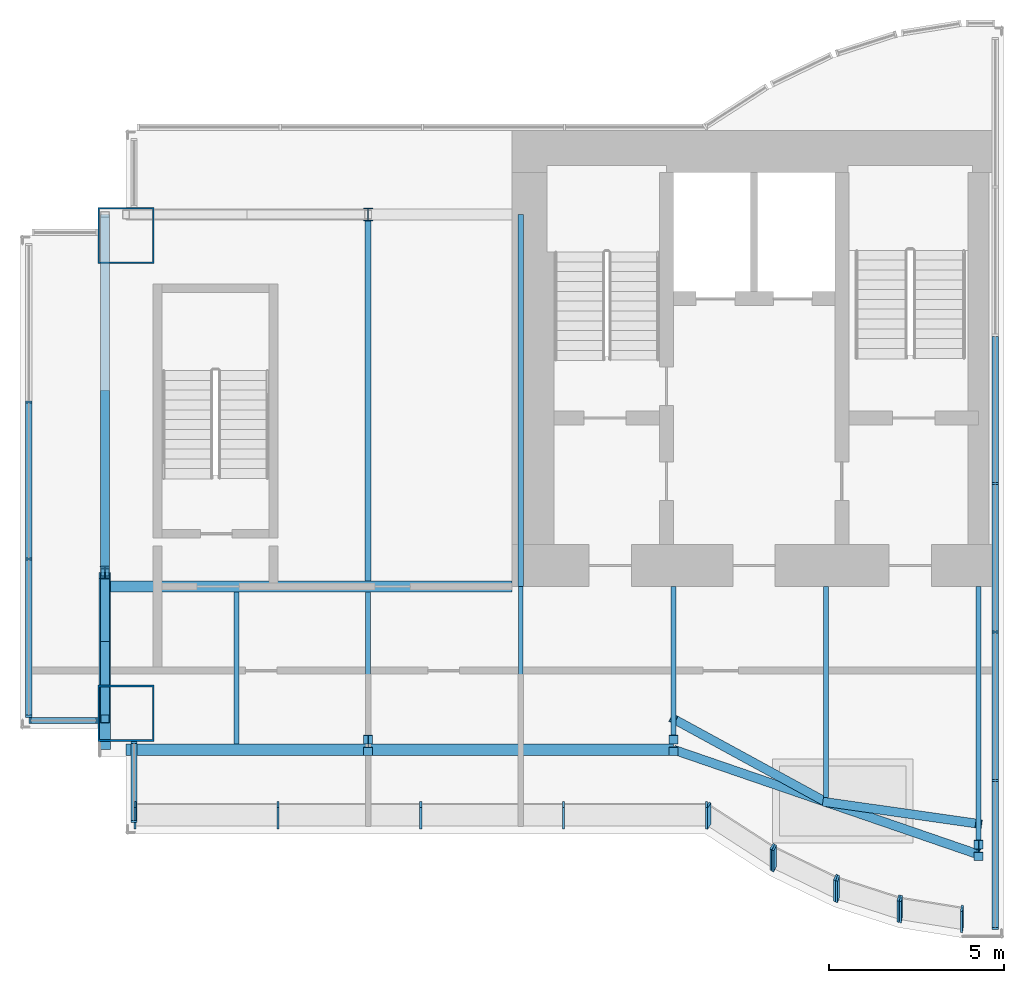
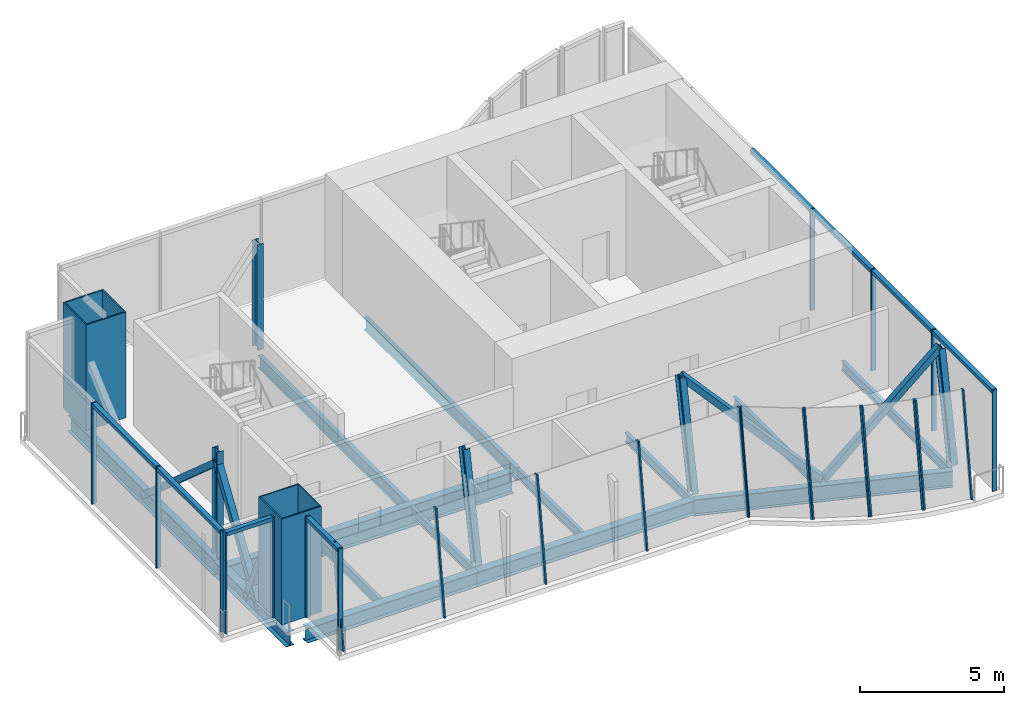
# One storey, part 1 of 6: 37 members, 14 beams, 7 columns, 9 elements without a shape of their own.
"""IFC4 building model written with IfcOpenShell, lengths in metres."""

from ifc_helpers import new_model, si_unit, direction, frame, origin, origin_2d, place, context, subcontext, project, spatial, rectangle, hollow_rectangle, i_section, extrude, material, material_profile, profile_set, type_object, element, aggregate, save


model = new_model("IFC4")

# Units and contexts
model_context = context("Model", 3, precision=1e-05, world=origin(), true_north=direction((0.0, 1.0)))
body_context = subcontext(model_context, "Body", "Model", "MODEL_VIEW")
ifc_project = project(units=[si_unit("LENGTHUNIT", "METRE"), si_unit("AREAUNIT", "SQUARE_METRE"), si_unit("VOLUMEUNIT", "CUBIC_METRE"), si_unit("PLANEANGLEUNIT", "RADIAN"), si_unit("MASSUNIT", "GRAM", prefix="KILO")], contexts=[model_context])

# Site, building, storey
site_placement = place(None, origin())
site = spatial("IfcSite", under=ifc_project, at=site_placement, CompositionType="ELEMENT")
building_placement = place(site_placement, origin())
building = spatial("IfcBuilding", under=site, at=building_placement, Name="Bicima Exchange Tower", CompositionType="ELEMENT")
storey_placement = place(building_placement, frame((0.0, 0.0, 370.39990234375)))
storey = spatial("IfcBuildingStorey", under=building, at=storey_placement, Name="L83", CompositionType="ELEMENT", Elevation=370.39990234375)

# Columns
ifc_material_1 = material(Name="Steel ASTM A572 Gr 50", Category="steel")
ifc_material_profile_1 = material_profile(ifc_material_1, hollow_rectangle(XDim=1.60009765625, YDim=1.60009765625, WallThickness=0.050048828125, at=origin_2d()))
ifc_profile_set_1 = profile_set([ifc_material_profile_1], Name="Steel ASTM A572 Gr 50")
column_type_1 = type_object("IfcColumnType", Name="Mega column BOX 1600x1600x50", PredefinedType="COLUMN", material=ifc_profile_set_1)
for number, where, z_axis, x_axis, name in (
    (1, (-33.0, -16.611572265625, 0.0), (0.0, 0.0, 1.0), (1.0, 0.0, 0.0), "Mega column mega-33.0f"),
    (2, (-33.0, -3.0, 0.0), (0.0, 0.0, 1.0), (1.0, 0.0, 0.0), "Mega column mega-33.0r"),
):
    element("IfcColumn", number, at=place(storey_placement, frame(where, z_axis=z_axis, x_axis=x_axis)), inside=storey, type_object=column_type_1, Name=name, PredefinedType="COLUMN", context=body_context, shape_type="SweptSolid", body=[
        extrude(hollow_rectangle(XDim=1.60009765625, YDim=1.60009765625, WallThickness=0.050048828125, at=origin_2d()), origin(), (0.0, 0.0, 1.0), 4.5),
    ])
ifc_material_2 = material(Name="Steel ASTM A992 Gr 50", Category="steel")
ifc_material_profile_2 = material_profile(ifc_material_2, i_section(OverallWidth=0.25390625, OverallDepth=0.35302734375, WebThickness=0.009521484375, FlangeThickness=0.016357421875, at=origin_2d()))
ifc_profile_set_2 = profile_set([ifc_material_profile_2], Name="Steel ASTM A992 Gr 50")
column_type_2 = type_object("IfcColumnType", Name="Perimeter column W14x61", PredefinedType="COLUMN", material=ifc_profile_set_2)
column_1_placement = place(storey_placement, frame((-26.10009765625, -17.643310546875, 0.03369140625), z_axis=(0.0, 0.191206783257, 0.981549777666), x_axis=(-1.0, 0.0, 0.0)))
element("IfcColumn", 3, at=column_1_placement, inside=storey, type_object=column_type_2, Name="Perimeter column grav-26.1f", PredefinedType="COLUMN", context=body_context, shape_type="SweptSolid", body=[
    extrude(i_section(OverallWidth=0.25390625, OverallDepth=0.35302734375, WebThickness=0.009521484375, FlangeThickness=0.016357421875, at=origin_2d()), origin(), (0.0, 0.0, 1.0), 4.51611328125),
])
column_2_placement = place(storey_placement, frame((-26.10009765625, -2.39990234375, 0.0), z_axis=(0.0, 0.0, 1.0), x_axis=(1.0, 0.0, 0.0)))
element("IfcColumn", 4, at=column_2_placement, inside=storey, type_object=column_type_2, Name="Perimeter column grav-26.1r", PredefinedType="COLUMN", context=body_context, shape_type="SweptSolid", body=[
    extrude(i_section(OverallWidth=0.25390625, OverallDepth=0.35302734375, WebThickness=0.009521484375, FlangeThickness=0.016357421875, at=origin_2d()), origin(), (0.0, 0.0, 1.0), 4.5),
])
for number, where, z_axis, x_axis, name in (
    (5, (-17.39990234375, -17.643310546875, 0.03369140625), (0.0, 0.191206783257, 0.981549777666), (-1.0, 0.0, 0.0), "Perimeter column grav-17.4f"),
    (6, (-8.699951171875, -20.634521484375, 0.03369140625), (0.0, 0.191206783257, 0.981549777666), (-1.0, 0.0, 0.0), "Perimeter column grav-8.7f"),
):
    element("IfcColumn", number, at=place(storey_placement, frame(where, z_axis=z_axis, x_axis=x_axis)), inside=storey, type_object=column_type_2, Name=name, PredefinedType="COLUMN", context=body_context, shape_type="SweptSolid", body=[
        extrude(i_section(OverallWidth=0.25390625, OverallDepth=0.35302734375, WebThickness=0.009521484375, FlangeThickness=0.016357421875, at=origin_2d()), origin(), (0.0, 0.0, 1.0), 4.51611328125),
    ])
column_3_placement = place(storey_placement, frame((-33.60009765625, -12.60009765625, 0.0), z_axis=(0.0, 0.0, 1.0), x_axis=(1.0, 0.0, 0.0)))
element("IfcColumn", 7, at=column_3_placement, inside=storey, type_object=column_type_2, Name="End column end-33.6e", PredefinedType="COLUMN", context=body_context, shape_type="SweptSolid", body=[
    extrude(i_section(OverallWidth=0.25390625, OverallDepth=0.35302734375, WebThickness=0.009521484375, FlangeThickness=0.016357421875, at=origin_2d()), origin(), (0.0, 0.0, 1.0), 4.5),
])

# Beam
ifc_material_profile_3 = material_profile(ifc_material_2, i_section(OverallWidth=0.3046875, OverallDepth=0.911865234375, WebThickness=0.015869140625, FlangeThickness=0.02392578125, at=origin_2d()))
ifc_profile_set_3 = profile_set([ifc_material_profile_3], Name="Steel ASTM A992 Gr 50")
beam_type_1 = type_object("IfcBeamType", Name="Core-line girder W36x150", PredefinedType="BEAM", material=ifc_profile_set_3)
beam_1_placement = place(storey_placement, frame((-22.0, -13.0, -0.65576171875), z_axis=(-1.0, 0.0, 0.0), x_axis=(0.0, -1.0, 0.0)))
element("IfcBeam", 8, at=beam_1_placement, inside=storey, type_object=beam_type_1, Name="Core-line girder", PredefinedType="BEAM", context=body_context, shape_type="SweptSolid", body=[
    extrude(i_section(OverallWidth=0.3046875, OverallDepth=0.911865234375, WebThickness=0.015869140625, FlangeThickness=0.02392578125, at=origin_2d()), origin(), (0.0, 0.0, 1.0), 11.60009765625),
])

# Curtain wall, members
ifc_material_3 = material(Name="Anodised bronze aluminium", Category="aluminium")
curtain_wall_type = type_object("IfcCurtainWallType", Name="Crown glass wall", PredefinedType="NOTDEFINED", material=ifc_material_3)
curtain_wall_1_placement = place(storey_placement, origin())
curtain_wall_1 = element("IfcCurtainWall", 9, at=curtain_wall_1_placement, inside=storey, type_object=curtain_wall_type, Name="Crown glass wall L83 run 2", PredefinedType="NOTDEFINED")
ifc_material_profile_4 = material_profile(ifc_material_3, rectangle(XDim=0.179931640625, YDim=0.06005859375, at=origin_2d()))
ifc_profile_set_4 = profile_set([ifc_material_profile_4], Name="Anodised bronze aluminium")
member_type_1 = type_object("IfcMemberType", Name="Crown glass wall mullion 60 x 180", PredefinedType="MULLION", material=ifc_profile_set_4)
member_1_placement = place(storey_placement, frame((-8.22998046875, -22.752685546875, 0.0), z_axis=(0.0, 0.0, 1.0), x_axis=(-1.0, 0.0, 0.0)))
member_1 = element("IfcMember", 10, at=member_1_placement, type_object=member_type_1, Name="Crown glass wall mullion 1", PredefinedType="MULLION", context=body_context, shape_type="SweptSolid", body=[
    extrude(rectangle(XDim=0.179931640625, YDim=0.06005859375, at=origin_2d()), origin(), (0.0, 0.0, 1.0), 4.300048828125),
])
member_2_placement = place(storey_placement, frame((-8.22998046875, -18.525146484375, 0.0), z_axis=(0.0, 0.0, 1.0), x_axis=(-1.0, 0.0, 0.0)))
member_2 = element("IfcMember", 11, at=member_2_placement, type_object=member_type_1, Name="Crown glass wall mullion 2", PredefinedType="MULLION", context=body_context, shape_type="SweptSolid", body=[
    extrude(rectangle(XDim=0.179931640625, YDim=0.06005859375, at=origin_2d()), origin(), (0.0, 0.0, 1.0), 4.300048828125),
])
member_3_placement = place(storey_placement, frame((-8.22998046875, -14.297607421875, 0.0), z_axis=(0.0, 0.0, 1.0), x_axis=(-1.0, 0.0, 0.0)))
member_3 = element("IfcMember", 12, at=member_3_placement, type_object=member_type_1, Name="Crown glass wall mullion 3", PredefinedType="MULLION", context=body_context, shape_type="SweptSolid", body=[
    extrude(rectangle(XDim=0.179931640625, YDim=0.06005859375, at=origin_2d()), origin(), (0.0, 0.0, 1.0), 4.300048828125),
])
member_4_placement = place(storey_placement, frame((-8.22998046875, -10.06982421875, 0.0), z_axis=(0.0, 0.0, 1.0), x_axis=(-1.0, 0.0, 0.0)))
member_4 = element("IfcMember", 13, at=member_4_placement, type_object=member_type_1, Name="Crown glass wall mullion 4", PredefinedType="MULLION", context=body_context, shape_type="SweptSolid", body=[
    extrude(rectangle(XDim=0.179931640625, YDim=0.06005859375, at=origin_2d()), origin(), (0.0, 0.0, 1.0), 4.300048828125),
])

curtain_wall_2_placement = place(storey_placement, origin())
curtain_wall_2 = element("IfcCurtainWall", 14, at=curtain_wall_2_placement, inside=storey, type_object=curtain_wall_type, Name="Crown glass wall L83 run 11", PredefinedType="NOTDEFINED")
member_5_placement = place(storey_placement, frame((-35.77001953125, -7.739990234375, 0.0), z_axis=(0.0, 0.0, 1.0), x_axis=(1.0, 0.0, 0.0)))
member_5 = element("IfcMember", 15, at=member_5_placement, type_object=member_type_1, Name="Crown glass wall mullion 2", PredefinedType="MULLION", context=body_context, shape_type="SweptSolid", body=[
    extrude(rectangle(XDim=0.179931640625, YDim=0.06005859375, at=origin_2d()), origin(), (0.0, 0.0, 1.0), 4.300048828125),
])
member_6_placement = place(storey_placement, frame((-35.77001953125, -12.219970703125, 0.0), z_axis=(0.0, 0.0, 1.0), x_axis=(1.0, 0.0, 0.0)))
member_6 = element("IfcMember", 16, at=member_6_placement, type_object=member_type_1, Name="Crown glass wall mullion 3", PredefinedType="MULLION", context=body_context, shape_type="SweptSolid", body=[
    extrude(rectangle(XDim=0.179931640625, YDim=0.06005859375, at=origin_2d()), origin(), (0.0, 0.0, 1.0), 4.300048828125),
])
member_7_placement = place(storey_placement, frame((-35.77001953125, -16.69970703125, 0.0), z_axis=(0.0, 0.0, 1.0), x_axis=(1.0, 0.0, 0.0)))
member_7 = element("IfcMember", 17, at=member_7_placement, type_object=member_type_1, Name="Crown glass wall mullion 4", PredefinedType="MULLION", context=body_context, shape_type="SweptSolid", body=[
    extrude(rectangle(XDim=0.179931640625, YDim=0.06005859375, at=origin_2d()), origin(), (0.0, 0.0, 1.0), 4.300048828125),
])

curtain_wall_3_placement = place(storey_placement, origin())
curtain_wall_3 = element("IfcCurtainWall", 18, at=curtain_wall_3_placement, inside=storey, type_object=curtain_wall_type, Name="Crown glass wall L83 run 12", PredefinedType="NOTDEFINED")
member_8_placement = place(storey_placement, frame((-35.739990234375, -16.81982421875, 0.0), z_axis=(0.0, 0.0, 1.0), x_axis=(0.0, 1.0, 0.0)))
member_8 = element("IfcMember", 19, at=member_8_placement, type_object=member_type_1, Name="Crown glass wall mullion 1", PredefinedType="MULLION", context=body_context, shape_type="SweptSolid", body=[
    extrude(rectangle(XDim=0.179931640625, YDim=0.06005859375, at=origin_2d()), origin(), (0.0, 0.0, 1.0), 4.300048828125),
])
member_9_placement = place(storey_placement, frame((-33.830078125, -16.81982421875, 0.0), z_axis=(0.0, 0.0, 1.0), x_axis=(0.0, 1.0, 0.0)))
member_9 = element("IfcMember", 20, at=member_9_placement, type_object=member_type_1, Name="Crown glass wall mullion 2", PredefinedType="MULLION", context=body_context, shape_type="SweptSolid", body=[
    extrude(rectangle(XDim=0.179931640625, YDim=0.06005859375, at=origin_2d()), origin(), (0.0, 0.0, 1.0), 4.300048828125),
])

curtain_wall_4_placement = place(storey_placement, origin())
curtain_wall_4 = element("IfcCurtainWall", 21, at=curtain_wall_4_placement, inside=storey, type_object=curtain_wall_type, Name="Crown glass wall L83 run 13", PredefinedType="NOTDEFINED")
member_10_placement = place(storey_placement, frame((-32.77001953125, -17.441650390625, 0.0), z_axis=(0.0, 0.0, 1.0), x_axis=(1.0, 0.0, 0.0)))
member_10 = element("IfcMember", 22, at=member_10_placement, type_object=member_type_1, Name="Crown glass wall mullion 1", PredefinedType="MULLION", context=body_context, shape_type="SweptSolid", body=[
    extrude(rectangle(XDim=0.179931640625, YDim=0.06005859375, at=origin_2d()), origin(), (0.0, 0.0, 1.0), 4.300048828125),
])
member_11_placement = place(storey_placement, frame((-32.77001953125, -19.69970703125, 0.0), z_axis=(0.0, 0.0, 1.0), x_axis=(1.0, 0.0, 0.0)))
member_11 = element("IfcMember", 23, at=member_11_placement, type_object=member_type_1, Name="Crown glass wall mullion 2", PredefinedType="MULLION", context=body_context, shape_type="SweptSolid", body=[
    extrude(rectangle(XDim=0.179931640625, YDim=0.06005859375, at=origin_2d()), origin(), (0.0, 0.0, 1.0), 4.300048828125),
])

curtain_wall_5_placement = place(storey_placement, origin())
curtain_wall_5 = element("IfcCurtainWall", 24, at=curtain_wall_5_placement, inside=storey, type_object=curtain_wall_type, Name="Crown tilted glass L83 14.1", PredefinedType="NOTDEFINED")
member_12_placement = place(storey_placement, frame((-32.739990234375, -19.81982421875, 0.0), z_axis=(0.0, 0.139154039626, 0.99027074745), x_axis=(0.0, -0.99027074745, 0.139154039626)))
member_12 = element("IfcMember", 25, at=member_12_placement, type_object=member_type_1, Name="Crown tilted mullion 1", PredefinedType="MULLION", context=body_context, shape_type="SweptSolid", body=[
    extrude(rectangle(XDim=0.179931640625, YDim=0.06005859375, at=origin_2d()), origin(), (0.0, 0.0, 1.0), 4.34228515625),
])
member_13_placement = place(storey_placement, frame((-28.67041015625, -19.81982421875, 0.0), z_axis=(0.0, 0.139154039626, 0.99027074745), x_axis=(0.0, -0.99027074745, 0.139154039626)))
member_13 = element("IfcMember", 26, at=member_13_placement, type_object=member_type_1, Name="Crown tilted mullion 2", PredefinedType="MULLION", context=body_context, shape_type="SweptSolid", body=[
    extrude(rectangle(XDim=0.179931640625, YDim=0.06005859375, at=origin_2d()), origin(), (0.0, 0.0, 1.0), 4.34228515625),
])
member_14_placement = place(storey_placement, frame((-24.60107421875, -19.81982421875, 0.0), z_axis=(0.0, 0.139154039626, 0.99027074745), x_axis=(0.0, -0.99027074745, 0.139154039626)))
member_14 = element("IfcMember", 27, at=member_14_placement, type_object=member_type_1, Name="Crown tilted mullion 3", PredefinedType="MULLION", context=body_context, shape_type="SweptSolid", body=[
    extrude(rectangle(XDim=0.179931640625, YDim=0.06005859375, at=origin_2d()), origin(), (0.0, 0.0, 1.0), 4.34228515625),
])
member_15_placement = place(storey_placement, frame((-20.531494140625, -19.81982421875, 0.0), z_axis=(0.0, 0.139154039626, 0.99027074745), x_axis=(0.0, -0.99027074745, 0.139154039626)))
member_15 = element("IfcMember", 28, at=member_15_placement, type_object=member_type_1, Name="Crown tilted mullion 4", PredefinedType="MULLION", context=body_context, shape_type="SweptSolid", body=[
    extrude(rectangle(XDim=0.179931640625, YDim=0.06005859375, at=origin_2d()), origin(), (0.0, 0.0, 1.0), 4.34228515625),
])
member_16_placement = place(storey_placement, frame((-16.462158203125, -19.81982421875, 0.0), z_axis=(0.0, 0.139154039626, 0.99027074745), x_axis=(0.0, -0.99027074745, 0.139154039626)))
member_16 = element("IfcMember", 29, at=member_16_placement, type_object=member_type_1, Name="Crown tilted mullion 5", PredefinedType="MULLION", context=body_context, shape_type="SweptSolid", body=[
    extrude(rectangle(XDim=0.179931640625, YDim=0.06005859375, at=origin_2d()), origin(), (0.0, 0.0, 1.0), 4.34228515625),
])
aggregate(curtain_wall_5, [member_12, member_13, member_14, member_15, member_16])

curtain_wall_6_placement = place(storey_placement, origin())
curtain_wall_6 = element("IfcCurtainWall", 30, at=curtain_wall_6_placement, inside=storey, type_object=curtain_wall_type, Name="Crown tilted glass L83 15.1", PredefinedType="NOTDEFINED")
member_17_placement = place(storey_placement, frame((-16.406982421875, -19.836181640625, 0.0), z_axis=(0.0, 0.139209174124, 0.990262998319), x_axis=(-0.542910648791, -0.831613425201, 0.116906537262)))
member_17 = element("IfcMember", 31, at=member_17_placement, type_object=member_type_1, Name="Crown tilted mullion 1", PredefinedType="MULLION", context=body_context, shape_type="SweptSolid", body=[
    extrude(rectangle(XDim=0.179931640625, YDim=0.06005859375, at=origin_2d()), origin(), (0.0, 0.0, 1.0), 4.34228515625),
])
member_18_placement = place(storey_placement, frame((-14.578857421875, -21.017822265625, 0.0), z_axis=(0.0, 0.139154039626, 0.99027074745), x_axis=(-0.542910648791, -0.831619932848, 0.116860235837)))
member_18 = element("IfcMember", 32, at=member_18_placement, type_object=member_type_1, Name="Crown tilted mullion 2", PredefinedType="MULLION", context=body_context, shape_type="SweptSolid", body=[
    extrude(rectangle(XDim=0.179931640625, YDim=0.06005859375, at=origin_2d()), origin(), (0.0, 0.0, 1.0), 4.34228515625),
])
aggregate(curtain_wall_6, [member_17, member_18])

curtain_wall_7_placement = place(storey_placement, origin())
curtain_wall_7 = element("IfcCurtainWall", 33, at=curtain_wall_7_placement, inside=storey, type_object=curtain_wall_type, Name="Crown tilted glass L83 16.1", PredefinedType="NOTDEFINED")
member_19_placement = place(storey_placement, frame((-14.526611328125, -21.04736328125, 0.0), z_axis=(0.0, 0.139154039626, 0.99027074745), x_axis=(-0.436264762204, -0.891063786867, 0.125213357889)))
member_19 = element("IfcMember", 34, at=member_19_placement, type_object=member_type_1, Name="Crown tilted mullion 1", PredefinedType="MULLION", context=body_context, shape_type="SweptSolid", body=[
    extrude(rectangle(XDim=0.179931640625, YDim=0.06005859375, at=origin_2d()), origin(), (0.0, 0.0, 1.0), 4.34228515625),
])
member_20_placement = place(storey_placement, frame((-12.7744140625, -21.89697265625, 0.0), z_axis=(0.0, 0.139209174124, 0.990262998319), x_axis=(-0.436264762204, -0.891056814056, 0.125262968921)))
member_20 = element("IfcMember", 35, at=member_20_placement, type_object=member_type_1, Name="Crown tilted mullion 2", PredefinedType="MULLION", context=body_context, shape_type="SweptSolid", body=[
    extrude(rectangle(XDim=0.179931640625, YDim=0.06005859375, at=origin_2d()), origin(), (0.0, 0.0, 1.0), 4.34228515625),
])
aggregate(curtain_wall_7, [member_19, member_20])

curtain_wall_8_placement = place(storey_placement, origin())
curtain_wall_8 = element("IfcCurtainWall", 36, at=curtain_wall_8_placement, inside=storey, type_object=curtain_wall_type, Name="Crown tilted glass L83 17.1", PredefinedType="NOTDEFINED")
member_21_placement = place(storey_placement, frame((-12.71875, -21.919189453125, 0.0), z_axis=(0.0, 0.139154039626, 0.99027074745), x_axis=(-0.307572519808, -0.942267018828, 0.132408497791)))
member_21 = element("IfcMember", 37, at=member_21_placement, type_object=member_type_1, Name="Crown tilted mullion 1", PredefinedType="MULLION", context=body_context, shape_type="SweptSolid", body=[
    extrude(rectangle(XDim=0.179931640625, YDim=0.06005859375, at=origin_2d()), origin(), (0.0, 0.0, 1.0), 4.34228515625),
])
member_22_placement = place(storey_placement, frame((-10.974609375, -22.48291015625, 0.0), z_axis=(0.0, 0.139154039626, 0.99027074745), x_axis=(-0.307572519808, -0.942267018828, 0.132408497791)))
member_22 = element("IfcMember", 38, at=member_22_placement, type_object=member_type_1, Name="Crown tilted mullion 2", PredefinedType="MULLION", context=body_context, shape_type="SweptSolid", body=[
    extrude(rectangle(XDim=0.179931640625, YDim=0.06005859375, at=origin_2d()), origin(), (0.0, 0.0, 1.0), 4.34228515625),
])
aggregate(curtain_wall_8, [member_21, member_22])

curtain_wall_9_placement = place(storey_placement, origin())
curtain_wall_9 = element("IfcCurtainWall", 39, at=curtain_wall_9_placement, inside=storey, type_object=curtain_wall_type, Name="Crown tilted glass L83 18.1", PredefinedType="NOTDEFINED")
member_23_placement = place(storey_placement, frame((-10.91650390625, -22.4970703125, 0.0), z_axis=(0.0, 0.139209174124, 0.990262998319), x_axis=(-0.159550386184, -0.977577517738, 0.137425874861)))
member_23 = element("IfcMember", 40, at=member_23_placement, type_object=member_type_1, Name="Crown tilted mullion 1", PredefinedType="MULLION", context=body_context, shape_type="SweptSolid", body=[
    extrude(rectangle(XDim=0.179931640625, YDim=0.06005859375, at=origin_2d()), origin(), (0.0, 0.0, 1.0), 4.34228515625),
])
member_24_placement = place(storey_placement, frame((-9.177734375, -22.778076171875, 0.0), z_axis=(0.0, 0.139209174124, 0.990262998319), x_axis=(-0.159550386184, -0.977577517738, 0.137425874861)))
member_24 = element("IfcMember", 41, at=member_24_placement, type_object=member_type_1, Name="Crown tilted mullion 2", PredefinedType="MULLION", context=body_context, shape_type="SweptSolid", body=[
    extrude(rectangle(XDim=0.179931640625, YDim=0.06005859375, at=origin_2d()), origin(), (0.0, 0.0, 1.0), 4.34228515625),
])
aggregate(curtain_wall_9, [member_23, member_24])

# Member
ifc_material_profile_5 = material_profile(ifc_material_3, rectangle(XDim=0.179931640625, YDim=0.159912109375, at=origin_2d()))
ifc_profile_set_5 = profile_set([ifc_material_profile_5], Name="Anodised bronze aluminium")
member_type_2 = type_object("IfcMemberType", Name="Crown glass wall transom 160 x 180", PredefinedType="USERDEFINED", material=ifc_profile_set_5)
member_25_placement = place(storey_placement, frame((-8.22998046875, -22.722900390625, 4.22021484375), z_axis=(0.0, 1.0, 0.0), x_axis=(-1.0, 0.0, 0.0)))
member_25 = element("IfcMember", 42, at=member_25_placement, type_object=member_type_2, Name="Crown glass wall transom 1.1", ObjectType="TRANSOM", PredefinedType="USERDEFINED", context=body_context, shape_type="SweptSolid", body=[
    extrude(rectangle(XDim=0.179931640625, YDim=0.159912109375, at=origin_2d()), origin(), (0.0, 0.0, 1.0), 4.167724609375),
])

member_26_placement = place(storey_placement, frame((-8.22998046875, -18.4951171875, 4.22021484375), z_axis=(0.0, 1.0, 0.0), x_axis=(-1.0, 0.0, 0.0)))
member_26 = element("IfcMember", 43, at=member_26_placement, type_object=member_type_2, Name="Crown glass wall transom 2.1", ObjectType="TRANSOM", PredefinedType="USERDEFINED", context=body_context, shape_type="SweptSolid", body=[
    extrude(rectangle(XDim=0.179931640625, YDim=0.159912109375, at=origin_2d()), origin(), (0.0, 0.0, 1.0), 4.167724609375),
])

member_27_placement = place(storey_placement, frame((-8.22998046875, -14.267578125, 4.22021484375), z_axis=(0.0, 1.0, 0.0), x_axis=(-1.0, 0.0, 0.0)))
member_27 = element("IfcMember", 44, at=member_27_placement, type_object=member_type_2, Name="Crown glass wall transom 3.1", ObjectType="TRANSOM", PredefinedType="USERDEFINED", context=body_context, shape_type="SweptSolid", body=[
    extrude(rectangle(XDim=0.179931640625, YDim=0.159912109375, at=origin_2d()), origin(), (0.0, 0.0, 1.0), 4.167724609375),
])

member_28_placement = place(storey_placement, frame((-8.22998046875, -10.039794921875, 4.22021484375), z_axis=(0.0, 1.0, 0.0), x_axis=(-1.0, 0.0, 0.0)))
member_28 = element("IfcMember", 45, at=member_28_placement, type_object=member_type_2, Name="Crown glass wall transom 4.1", ObjectType="TRANSOM", PredefinedType="USERDEFINED", context=body_context, shape_type="SweptSolid", body=[
    extrude(rectangle(XDim=0.179931640625, YDim=0.159912109375, at=origin_2d()), origin(), (0.0, 0.0, 1.0), 4.16748046875),
])

aggregate(curtain_wall_1, [member_1, member_2, member_3, member_4, member_25, member_26, member_27, member_28])

member_29_placement = place(storey_placement, frame((-35.77001953125, -7.77001953125, 4.22021484375), z_axis=(0.0, -1.0, 0.0), x_axis=(1.0, 0.0, 0.0)))
member_29 = element("IfcMember", 46, at=member_29_placement, type_object=member_type_2, Name="Crown glass wall transom 2.1", ObjectType="TRANSOM", PredefinedType="USERDEFINED", context=body_context, shape_type="SweptSolid", body=[
    extrude(rectangle(XDim=0.179931640625, YDim=0.159912109375, at=origin_2d()), origin(), (0.0, 0.0, 1.0), 4.419921875),
])

member_30_placement = place(storey_placement, frame((-35.77001953125, -12.25, 4.22021484375), z_axis=(0.0, -1.0, 0.0), x_axis=(1.0, 0.0, 0.0)))
member_30 = element("IfcMember", 47, at=member_30_placement, type_object=member_type_2, Name="Crown glass wall transom 3.1", ObjectType="TRANSOM", PredefinedType="USERDEFINED", context=body_context, shape_type="SweptSolid", body=[
    extrude(rectangle(XDim=0.179931640625, YDim=0.159912109375, at=origin_2d()), origin(), (0.0, 0.0, 1.0), 4.419921875),
])

aggregate(curtain_wall_2, [member_5, member_6, member_7, member_29, member_30])

member_31_placement = place(storey_placement, frame((-35.7099609375, -16.81982421875, 4.22021484375), z_axis=(1.0, 0.0, 0.0), x_axis=(0.0, 1.0, 0.0)))
member_31 = element("IfcMember", 48, at=member_31_placement, type_object=member_type_2, Name="Crown glass wall transom 1.1", ObjectType="TRANSOM", PredefinedType="USERDEFINED", context=body_context, shape_type="SweptSolid", body=[
    extrude(rectangle(XDim=0.179931640625, YDim=0.159912109375, at=origin_2d()), origin(), (0.0, 0.0, 1.0), 1.849853515625),
])

aggregate(curtain_wall_3, [member_8, member_9, member_31])

member_32_placement = place(storey_placement, frame((-32.77001953125, -17.4716796875, 4.22021484375), z_axis=(0.0, -1.0, 0.0), x_axis=(1.0, 0.0, 0.0)))
member_32 = element("IfcMember", 49, at=member_32_placement, type_object=member_type_2, Name="Crown glass wall transom 1.1", ObjectType="TRANSOM", PredefinedType="USERDEFINED", context=body_context, shape_type="SweptSolid", body=[
    extrude(rectangle(XDim=0.179931640625, YDim=0.159912109375, at=origin_2d()), origin(), (0.0, 0.0, 1.0), 2.1982421875),
])

aggregate(curtain_wall_4, [member_10, member_11, member_32])

# Beams
ifc_material_profile_6 = material_profile(ifc_material_2, i_section(OverallWidth=0.3251953125, OverallDepth=0.612060546875, WebThickness=0.0126953125, FlangeThickness=0.01904296875, at=origin_2d()))
ifc_profile_set_6 = profile_set([ifc_material_profile_6], Name="Steel ASTM A992 Gr 50")
beam_type_2 = type_object("IfcBeamType", Name="End girder W24x104", PredefinedType="BEAM", material=ifc_profile_set_6)
beam_2_placement = place(storey_placement, frame((-33.60009765625, -12.60009765625, -0.506103515625), z_axis=(0.0, -1.0, 0.0), x_axis=(1.0, 0.0, 0.0)))
element("IfcBeam", 50, at=beam_2_placement, inside=storey, type_object=beam_type_2, Name="End girder", PredefinedType="BEAM", context=body_context, shape_type="SweptSolid", body=[
    extrude(i_section(OverallWidth=0.3251953125, OverallDepth=0.612060546875, WebThickness=0.0126953125, FlangeThickness=0.01904296875, at=origin_2d()), origin(), (0.0, 0.0, 1.0), 5.0498046875),
])
ifc_material_profile_7 = material_profile(ifc_material_2, i_section(OverallWidth=0.256591796875, OverallDepth=0.693359375, WebThickness=0.014404296875, FlangeThickness=0.023681640625, at=origin_2d()))
ifc_profile_set_7 = profile_set([ifc_material_profile_7], Name="Steel ASTM A992 Gr 50")
beam_type_3 = type_object("IfcBeamType", Name="End girder W27x114", PredefinedType="BEAM", material=ifc_profile_set_7)
beam_3_placement = place(storey_placement, frame((-33.60009765625, -2.39990234375, -0.546630859375), z_axis=(0.0, -1.0, 0.0), x_axis=(1.0, 0.0, 0.0)))
element("IfcBeam", 51, at=beam_3_placement, inside=storey, type_object=beam_type_3, Name="End girder", PredefinedType="BEAM", context=body_context, shape_type="SweptSolid", body=[
    extrude(i_section(OverallWidth=0.256591796875, OverallDepth=0.693359375, WebThickness=0.014404296875, FlangeThickness=0.023681640625, at=origin_2d()), origin(), (0.0, 0.0, 1.0), 10.2001953125),
])
ifc_material_profile_8 = material_profile(ifc_material_2, i_section(OverallWidth=0.140380859375, OverallDepth=0.40380859375, WebThickness=0.007080078125, FlangeThickness=0.01123046875, at=origin_2d()))
ifc_profile_set_8 = profile_set([ifc_material_profile_8], Name="Steel ASTM A992 Gr 50")
beam_type_4 = type_object("IfcBeamType", Name="Floor beam W16x31", PredefinedType="JOIST", material=ifc_profile_set_8)
for number, where, z_axis, x_axis, name in (
    (52, (-29.85009765625, -13.15234375, -0.40185546875), (0.0, -1.0, 0.0), (1.0, 0.0, 0.0), "Floor beam"),
    (53, (-26.10009765625, -13.15234375, -0.40185546875), (0.0, -1.0, 0.0), (1.0, 0.0, 0.0), "Floor beam"),
):
    element("IfcBeam", number, at=place(storey_placement, frame(where, z_axis=z_axis, x_axis=x_axis)), inside=storey, type_object=beam_type_4, Name=name, PredefinedType="JOIST", context=body_context, shape_type="SweptSolid", body=[
        extrude(i_section(OverallWidth=0.140380859375, OverallDepth=0.40380859375, WebThickness=0.007080078125, FlangeThickness=0.01123046875, at=origin_2d()), origin(), (0.0, 0.0, 1.0), 4.3349609375),
    ])
for number, where, z_axis, x_axis, name in (
    (54, (-21.75, -13.0, -0.40185546875), (0.0, -1.0, 0.0), (1.0, 0.0, 0.0), "Floor beam"),
    (55, (-17.39990234375, -13.0, -0.40185546875), (0.0, -1.0, 0.0), (1.0, 0.0, 0.0), "Floor beam"),
):
    element("IfcBeam", number, at=place(storey_placement, frame(where, z_axis=z_axis, x_axis=x_axis)), inside=storey, type_object=beam_type_4, Name=name, PredefinedType="JOIST", context=body_context, shape_type="SweptSolid", body=[
        extrude(i_section(OverallWidth=0.140380859375, OverallDepth=0.40380859375, WebThickness=0.007080078125, FlangeThickness=0.01123046875, at=origin_2d()), origin(), (0.0, 0.0, 1.0), 4.4873046875),
    ])
beam_4_placement = place(storey_placement, frame((-13.050048828125, -13.0, -0.40185546875), z_axis=(0.0, -1.0, 0.0), x_axis=(1.0, 0.0, 0.0)))
element("IfcBeam", 56, at=beam_4_placement, inside=storey, type_object=beam_type_4, Name="Floor beam", PredefinedType="JOIST", context=body_context, shape_type="SweptSolid", body=[
    extrude(i_section(OverallWidth=0.140380859375, OverallDepth=0.40380859375, WebThickness=0.007080078125, FlangeThickness=0.01123046875, at=origin_2d()), origin(), (0.0, 0.0, 1.0), 6.009765625),
])
beam_5_placement = place(storey_placement, frame((-8.699951171875, -13.0, -0.40185546875), z_axis=(0.0, -1.0, 0.0), x_axis=(1.0, 0.0, 0.0)))
element("IfcBeam", 57, at=beam_5_placement, inside=storey, type_object=beam_type_4, Name="Floor beam", PredefinedType="JOIST", context=body_context, shape_type="SweptSolid", body=[
    extrude(i_section(OverallWidth=0.140380859375, OverallDepth=0.40380859375, WebThickness=0.007080078125, FlangeThickness=0.01123046875, at=origin_2d()), origin(), (0.0, 0.0, 1.0), 7.50537109375),
])
ifc_material_profile_9 = material_profile(ifc_material_2, i_section(OverallWidth=0.165771484375, OverallDepth=0.5283203125, WebThickness=0.009765625, FlangeThickness=0.013671875, at=origin_2d()))
ifc_profile_set_9 = profile_set([ifc_material_profile_9], Name="Steel ASTM A992 Gr 50")
beam_type_5 = type_object("IfcBeamType", Name="Floor beam W21x50", PredefinedType="JOIST", material=ifc_profile_set_9)
beam_6_placement = place(storey_placement, frame((-26.10009765625, -2.5625, -0.464111328125), z_axis=(0.0, -1.0, 0.0), x_axis=(1.0, 0.0, 0.0)))
element("IfcBeam", 58, at=beam_6_placement, inside=storey, type_object=beam_type_5, Name="Floor beam", PredefinedType="JOIST", context=body_context, shape_type="SweptSolid", body=[
    extrude(i_section(OverallWidth=0.165771484375, OverallDepth=0.5283203125, WebThickness=0.009765625, FlangeThickness=0.013671875, at=origin_2d()), origin(), (0.0, 0.0, 1.0), 10.28515625),
])
beam_7_placement = place(storey_placement, frame((-21.75, -2.39990234375, -0.464111328125), z_axis=(0.0, -1.0, 0.0), x_axis=(1.0, 0.0, 0.0)))
element("IfcBeam", 59, at=beam_7_placement, inside=storey, type_object=beam_type_5, Name="Floor beam", PredefinedType="JOIST", context=body_context, shape_type="SweptSolid", body=[
    extrude(i_section(OverallWidth=0.165771484375, OverallDepth=0.5283203125, WebThickness=0.009765625, FlangeThickness=0.013671875, at=origin_2d()), origin(), (0.0, 0.0, 1.0), 10.60009765625),
])
beam_type_6 = type_object("IfcBeamType", Name="Front girder W24x104", PredefinedType="BEAM", material=ifc_profile_set_6)
beam_8_placement = place(storey_placement, frame((-33.0, -17.64990234375, -0.506103515625), z_axis=(1.0, 0.0, 0.0), x_axis=(0.0, 1.0, 0.0)))
element("IfcBeam", 60, at=beam_8_placement, inside=storey, type_object=beam_type_6, Name="Front girder", PredefinedType="BEAM", context=body_context, shape_type="SweptSolid", body=[
    extrude(i_section(OverallWidth=0.3251953125, OverallDepth=0.612060546875, WebThickness=0.0126953125, FlangeThickness=0.01904296875, at=origin_2d()), origin(), (0.0, 0.0, 1.0), 6.89990234375),
])
beam_9_placement = place(storey_placement, frame((-26.10009765625, -17.64990234375, -0.506103515625), z_axis=(1.0, 0.0, 0.0), x_axis=(0.0, 1.0, 0.0)))
element("IfcBeam", 61, at=beam_9_placement, inside=storey, type_object=beam_type_6, Name="Front girder", PredefinedType="BEAM", context=body_context, shape_type="SweptSolid", body=[
    extrude(i_section(OverallWidth=0.3251953125, OverallDepth=0.612060546875, WebThickness=0.0126953125, FlangeThickness=0.01904296875, at=origin_2d()), origin(), (0.0, 0.0, 1.0), 8.7001953125),
])
beam_type_7 = type_object("IfcBeamType", Name="Front girder W27x114", PredefinedType="BEAM", material=ifc_profile_set_7)
beam_10_placement = place(storey_placement, frame((-17.39990234375, -17.64990234375, -0.546630859375), z_axis=(0.945674616091, -0.32511462668, 0.0), x_axis=(0.32511462668, 0.945674616091, 0.0)))
element("IfcBeam", 62, at=beam_10_placement, inside=storey, type_object=beam_type_7, Name="Front girder", PredefinedType="BEAM", context=body_context, shape_type="SweptSolid", body=[
    extrude(i_section(OverallWidth=0.256591796875, OverallDepth=0.693359375, WebThickness=0.014404296875, FlangeThickness=0.023681640625, at=origin_2d()), origin(), (0.0, 0.0, 1.0), 9.19970703125),
])

# Members
ifc_material_profile_10 = material_profile(ifc_material_1, hollow_rectangle(XDim=0.25390625, YDim=0.25390625, WallThickness=0.01171875, at=origin_2d()))
ifc_profile_set_10 = profile_set([ifc_material_profile_10], Name="Steel ASTM A572 Gr 50")
member_type_3 = type_object("IfcMemberType", Name="Mega brace HSS10x10x1/2", PredefinedType="BRACE", material=ifc_profile_set_10)
member_33_placement = place(storey_placement, frame((-13.050048828125, -19.1455078125, 0.0), z_axis=(0.691656914398, -0.098403315636, 0.715491090257), x_axis=(0.140853473994, 0.990030453503, 0.0)))
element("IfcMember", 63, at=member_33_placement, inside=storey, type_object=member_type_3, Name="Mega brace front", PredefinedType="BRACE", context=body_context, shape_type="SweptSolid", body=[
    extrude(hollow_rectangle(XDim=0.25390625, YDim=0.25390625, WallThickness=0.01171875, at=origin_2d()), origin(), (0.0, 0.0, 1.0), 6.289306640625),
])
member_34_placement = place(storey_placement, frame((-13.050048828125, -19.1455078125, 0.0), z_axis=(-0.649898590044, 0.354403923268, 0.672331526727), x_axis=(-0.478762364863, -0.877944530133, 0.0)))
element("IfcMember", 64, at=member_34_placement, inside=storey, type_object=member_type_3, Name="Mega brace front", PredefinedType="BRACE", context=body_context, shape_type="SweptSolid", body=[
    extrude(hollow_rectangle(XDim=0.25390625, YDim=0.25390625, WallThickness=0.01171875, at=origin_2d()), origin(), (0.0, 0.0, 1.0), 6.693115234375),
])
member_35_placement = place(storey_placement, frame((-33.60009765625, -7.5, -0.546630859375), z_axis=(0.0, -0.749844140428, 0.661614513948), x_axis=(1.0, 0.0, 0.0)))
element("IfcMember", 65, at=member_35_placement, inside=storey, type_object=member_type_3, Name="Mega brace west end", PredefinedType="BRACE", context=body_context, shape_type="SweptSolid", body=[
    extrude(hollow_rectangle(XDim=0.25390625, YDim=0.25390625, WallThickness=0.01171875, at=origin_2d()), origin(), (0.0, 0.0, 1.0), 6.801513671875),
])
member_36_placement = place(storey_placement, frame((-33.60009765625, -14.686767578125, -0.506103515625), z_axis=(0.0, -0.420677425977, 0.907210286137), x_axis=(1.0, 0.0, 0.0)))
element("IfcMember", 66, at=member_36_placement, inside=storey, type_object=member_type_3, Name="Mega brace west end", PredefinedType="BRACE", context=body_context, shape_type="SweptSolid", body=[
    extrude(hollow_rectangle(XDim=0.25390625, YDim=0.25390625, WallThickness=0.01171875, at=origin_2d()), origin(), (0.0, 0.0, 1.0), 4.960205078125),
])
member_37_placement = place(storey_placement, frame((-33.60009765625, -15.56298828125, -0.506103515625), z_axis=(0.0, 0.549922729302, 0.835215536132), x_axis=(-1.0, 0.0, 0.0)))
element("IfcMember", 67, at=member_37_placement, inside=storey, type_object=member_type_3, Name="Mega brace west end", PredefinedType="BRACE", context=body_context, shape_type="SweptSolid", body=[
    extrude(hollow_rectangle(XDim=0.25390625, YDim=0.25390625, WallThickness=0.01171875, at=origin_2d()), origin(), (0.0, 0.0, 1.0), 5.387939453125),
])

save(model, "model.ifc")
